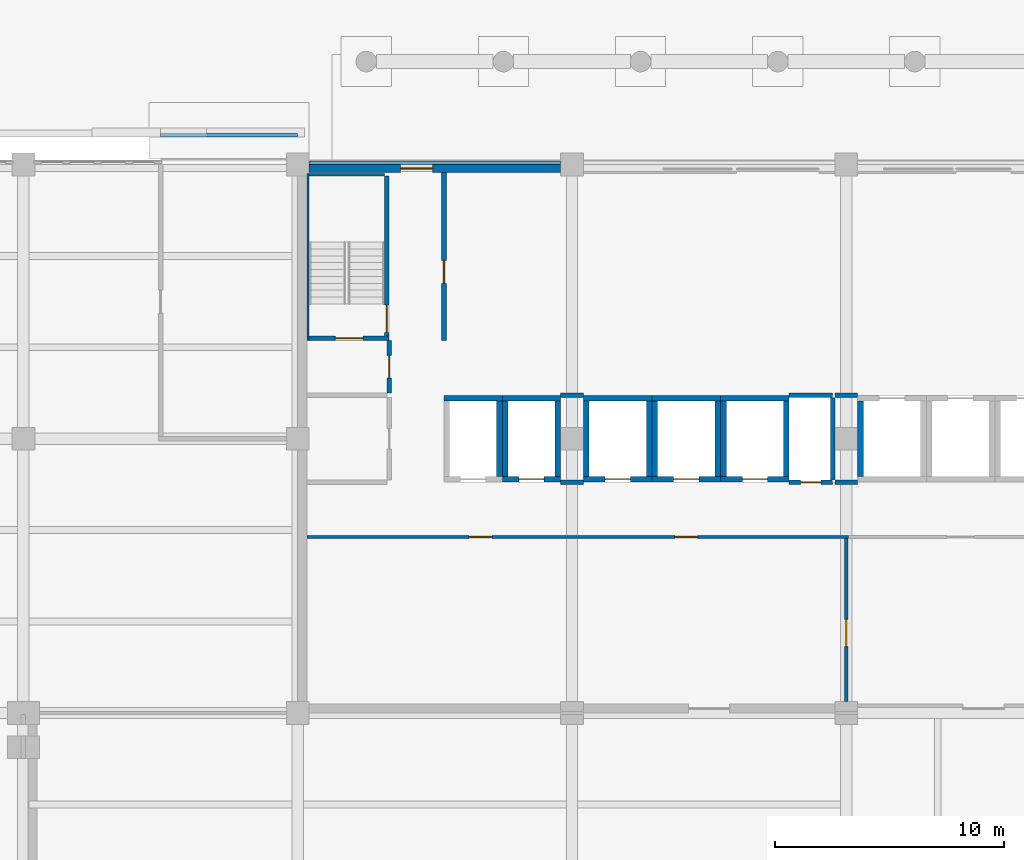
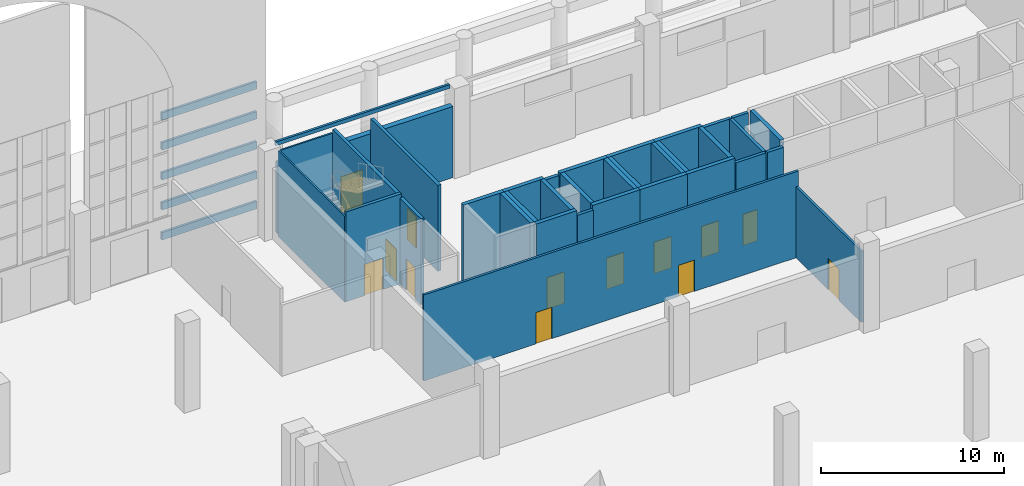
# One storey, part 46 of 59: 41 walls, 13 doors, 13 openings.
"""IFC4 building model written with IfcOpenShell, lengths in metres."""

from ifc_helpers import new_model, si_unit, direction, frame, frame_2d, origin, place, context, subcontext, project, spatial, rectangle, extrude, material, layer, layer_set, type_object, element, fill, save


model = new_model("IFC4")

# Units and contexts
model_context = context("Model", 3, precision=1e-05, world=origin(), true_north=direction((0.0, 1.0)))
body_context = subcontext(model_context, "Body", "Model", "MODEL_VIEW")
ifc_project = project(units=[si_unit("LENGTHUNIT", "METRE"), si_unit("AREAUNIT", "SQUARE_METRE"), si_unit("VOLUMEUNIT", "CUBIC_METRE"), si_unit("PLANEANGLEUNIT", "RADIAN"), si_unit("MASSUNIT", "GRAM", prefix="KILO")], contexts=[model_context])

# Site, building, storey
site_placement = place(None, origin())
site = spatial("IfcSite", under=ifc_project, at=site_placement, CompositionType="ELEMENT")
building_placement = place(site_placement, origin())
building = spatial("IfcBuilding", under=site, at=building_placement, Name="Lilac Gate Convention Centre", CompositionType="ELEMENT")
storey_placement = place(building_placement, origin())
storey = spatial("IfcBuildingStorey", under=building, at=storey_placement, Name="L00", CompositionType="ELEMENT", Elevation=0.0)

# Walls
ifc_material_1 = material(Name="Concrete C60", Category="concrete")
ifc_layer_1 = layer(ifc_material_1, 0.10009765625)
ifc_layer_set_1 = layer_set([ifc_layer_1], Name="Concrete C60")
wall_type_1 = type_object("IfcWallType", Name="Core wall 100 C60", PredefinedType="SHEAR", material=ifc_layer_set_1)
wall_1_placement = place(storey_placement, frame((42.449951171875, 238.300048828125, 0.0), z_axis=(0.0, 0.0, 1.0), x_axis=(0.0, 1.0, 0.0)))
element("IfcWall", 1, at=wall_1_placement, inside=storey, type_object=wall_type_1, Name="CRW8 core wall TS-WX L00 1", PredefinedType="SHEAR", context=body_context, shape_type="SweptSolid", body=[
    extrude(rectangle(XDim=7.300048828125, YDim=0.10009765625, at=frame_2d((3.64990234375, 0.0))), origin(), (0.0, 0.0, 1.0), 5.75),
])
wall_2_placement = place(storey_placement, frame((42.5, 245.550048828125, 0.0), z_axis=(0.0, 0.0, 1.0), x_axis=(1.0, 0.0, 0.0)))
element("IfcWall", 2, at=wall_2_placement, inside=storey, type_object=wall_type_1, Name="CRW8 core wall TS-WX L00 2", PredefinedType="SHEAR", context=body_context, shape_type="SweptSolid", body=[
    extrude(rectangle(XDim=3.300048828125, YDim=0.10009765625, at=frame_2d((1.64990234375, 0.0))), origin(), (0.0, 0.0, 1.0), 5.75),
])

# Wall, opening, door
ifc_layer_2 = layer(ifc_material_1, 0.199951171875)
ifc_layer_set_2 = layer_set([ifc_layer_2], Name="Concrete C60")
wall_type_2 = type_object("IfcWallType", Name="Core wall 200 C60", PredefinedType="SHEAR", material=ifc_layer_set_2)
wall_3_placement = place(storey_placement, frame((42.5, 238.39990234375, 0.0), z_axis=(0.0, 0.0, 1.0), x_axis=(1.0, 0.0, 0.0)))
wall_3 = element("IfcWall", 3, at=wall_3_placement, inside=storey, type_object=wall_type_2, Name="CRW2 core wall TS-W L00 1", PredefinedType="SHEAR", context=body_context, shape_type="SweptSolid", body=[
    extrude(rectangle(XDim=3.5, YDim=0.199951171875, at=frame_2d((1.75, 0.0))), origin(), (0.0, 0.0, 1.0), 6.0),
])
opening_1_placement = place(wall_3_placement, frame((1.14990234375, 0.0, 0.0)))
opening_1 = element("IfcOpeningElement", 4, at=opening_1_placement, cuts=wall_3, Name="Opening T00-025", PredefinedType="OPENING", context=body_context, shape_type="SweptSolid", body=[
    extrude(rectangle(XDim=1.199951171875, YDim=2.10009765625, at=frame_2d((0.60009765625, 1.050048828125))), frame((0.0, 0.10986328125, 0.0), z_axis=(0.0, -1.0, 0.0), x_axis=(1.0, 0.0, 0.0)), (0.0, 0.0, 1.0), 0.219970703125),
])
ifc_material_2 = material(Name="Steel Q235B", Category="steel")
door_type_1 = type_object("IfcDoorType", Name="Stair door 1200", OperationType="SINGLE_SWING_LEFT", PredefinedType="DOOR", material=ifc_material_2)
door_1_placement = place(opening_1_placement, origin())
door_1 = element("IfcDoor", 5, at=door_1_placement, inside=storey, type_object=door_type_1, Name="Stair door NW L00", OperationType="SINGLE_SWING_RIGHT", OverallHeight=2.10009765625, OverallWidth=1.199951171875, PredefinedType="DOOR", context=body_context, shape_type="SweptSolid", body=[
    extrude(rectangle(XDim=1.199951171875, YDim=2.10009765625, at=frame_2d((0.60009765625, 1.050048828125))), frame((0.0, 0.02490234375, 0.0), z_axis=(0.0, -1.0, 0.0), x_axis=(1.0, 0.0, 0.0)), (0.0, 0.0, 1.0), 0.050048828125),
])
fill(opening_1, door_1)

wall_4_placement = place(storey_placement, frame((45.89990234375, 238.5, 0.0), z_axis=(0.0, 0.0, 1.0), x_axis=(0.0, 1.0, 0.0)))
wall_4 = element("IfcWall", 6, at=wall_4_placement, inside=storey, type_object=wall_type_2, Name="CRW2 core wall TS-W L00 2", PredefinedType="SHEAR", context=body_context, shape_type="SweptSolid", body=[
    extrude(rectangle(XDim=7.0, YDim=0.199951171875, at=frame_2d((3.5, 0.0))), origin(), (0.0, 0.0, 1.0), 6.0),
])
opening_2_placement = place(wall_4_placement, frame((0.14990234375, 0.0, 0.0)))
opening_2 = element("IfcOpeningElement", 7, at=opening_2_placement, cuts=wall_4, Name="Opening T00-028", PredefinedType="OPENING", context=body_context, shape_type="SweptSolid", body=[
    extrude(rectangle(XDim=1.199951171875, YDim=2.10009765625, at=frame_2d((0.60009765625, 1.050048828125))), frame((0.0, 0.10986328125, 0.0), z_axis=(0.0, -1.0, 0.0), x_axis=(1.0, 0.0, 0.0)), (0.0, 0.0, 1.0), 0.219970703125),
])
door_2_placement = place(opening_2_placement, frame((1.199951171875, 0.0, 0.0), z_axis=(0.0, 0.0, 1.0), x_axis=(-1.0, 0.0, 0.0)))
door_2 = element("IfcDoor", 8, at=door_2_placement, inside=storey, type_object=door_type_1, Name="Stair exit passage door NW L00", OperationType="SINGLE_SWING_RIGHT", OverallHeight=2.10009765625, OverallWidth=1.199951171875, PredefinedType="DOOR", context=body_context, shape_type="SweptSolid", body=[
    extrude(rectangle(XDim=1.199951171875, YDim=2.10009765625, at=frame_2d((0.60009765625, 1.050048828125))), frame((0.0, 0.02490234375, 0.0), z_axis=(0.0, -1.0, 0.0), x_axis=(1.0, 0.0, 0.0)), (0.0, 0.0, 1.0), 0.050048828125),
])
fill(opening_2, door_2)

ifc_layer_3 = layer(ifc_material_1, 0.25)
ifc_layer_set_3 = layer_set([ifc_layer_3], Name="Concrete C60")
wall_type_3 = type_object("IfcWallType", Name="Core wall 250 C60", PredefinedType="SHEAR", material=ifc_layer_set_3)
wall_5_placement = place(storey_placement, frame((54.5, 232.22509765625, 0.0), z_axis=(0.0, 0.0, 1.0), x_axis=(1.0, 0.0, 0.0)))
wall_5 = element("IfcWall", 9, at=wall_5_placement, inside=storey, type_object=wall_type_3, Name="CRW3 core wall TC L00 1", PredefinedType="SHEAR", context=body_context, shape_type="SweptSolid", body=[
    extrude(rectangle(XDim=3.0, YDim=0.25, at=frame_2d((1.5, 0.0))), origin(), (0.0, 0.0, 1.0), 6.0),
])
opening_3_placement = place(wall_5_placement, frame((0.949951171875, 0.0, 0.0)))
opening_3 = element("IfcOpeningElement", 10, at=opening_3_placement, cuts=wall_5, Name="Opening T00-016", PredefinedType="OPENING", context=body_context, shape_type="SweptSolid", body=[
    extrude(rectangle(XDim=1.10009765625, YDim=2.10009765625, at=frame_2d((0.550048828125, 1.050048828125))), frame((0.0, 0.135009765625, 0.0), z_axis=(0.0, -1.0, 0.0), x_axis=(1.0, 0.0, 0.0)), (0.0, 0.0, 1.0), 0.27001953125),
])
ifc_material_3 = material(Name="Stainless steel 304", Category="steel")
door_type_2 = type_object("IfcDoorType", Name="Lift landing door 1100", OperationType="SLIDING_TO_LEFT", PredefinedType="DOOR", material=ifc_material_3)
door_3_placement = place(opening_3_placement, origin())
door_3 = element("IfcDoor", 11, at=door_3_placement, inside=storey, type_object=door_type_2, Name="Lift landing door TP1 L00", OperationType="SLIDING_TO_LEFT", OverallHeight=2.10009765625, OverallWidth=1.10009765625, PredefinedType="DOOR", context=body_context, shape_type="SweptSolid", body=[
    extrude(rectangle(XDim=1.10009765625, YDim=2.10009765625, at=frame_2d((0.550048828125, 1.050048828125))), frame((0.0, 0.02490234375, 0.0), z_axis=(0.0, -1.0, 0.0), x_axis=(1.0, 0.0, 0.0)), (0.0, 0.0, 1.0), 0.050048828125),
])
fill(opening_3, door_3)

# Walls
wall_6_placement = place(storey_placement, frame((54.5, 235.77490234375, 0.0), z_axis=(0.0, 0.0, 1.0), x_axis=(1.0, 0.0, 0.0)))
element("IfcWall", 12, at=wall_6_placement, inside=storey, type_object=wall_type_3, Name="CRW3 core wall TC L00 2", PredefinedType="SHEAR", context=body_context, shape_type="SweptSolid", body=[
    extrude(rectangle(XDim=3.0, YDim=0.25, at=frame_2d((1.5, 0.0))), origin(), (0.0, 0.0, 1.0), 6.0),
])
for number, where, z_axis, x_axis, name in (
    (13, (54.625, 232.35009765625, 0.0), (0.0, 0.0, 1.0), (0.0, 1.0, 0.0), "CRW3 core wall TC L00 3"),
    (14, (57.375, 232.35009765625, 0.0), (0.0, 0.0, 1.0), (0.0, 1.0, 0.0), "CRW3 core wall TC L00 4"),
):
    element("IfcWall", number, at=place(storey_placement, frame(where, z_axis=z_axis, x_axis=x_axis)), inside=storey, type_object=wall_type_3, Name=name, PredefinedType="SHEAR", context=body_context, shape_type="SweptSolid", body=[
        extrude(rectangle(XDim=3.2998046875, YDim=0.25, at=frame_2d((1.64990234375, 0.0))), origin(), (0.0, 0.0, 1.0), 6.0),
    ])

# Wall, opening, door
wall_7_placement = place(storey_placement, frame((57.5, 232.22509765625, 0.0), z_axis=(0.0, 0.0, 1.0), x_axis=(1.0, 0.0, 0.0)))
wall_7 = element("IfcWall", 15, at=wall_7_placement, inside=storey, type_object=wall_type_3, Name="CRW3 core wall TC L00 5", PredefinedType="SHEAR", context=body_context, shape_type="SweptSolid", body=[
    extrude(rectangle(XDim=3.0, YDim=0.25, at=frame_2d((1.5, 0.0))), origin(), (0.0, 0.0, 1.0), 6.0),
])
opening_4_placement = place(wall_7_placement, frame((0.949951171875, 0.0, 0.0)))
opening_4 = element("IfcOpeningElement", 16, at=opening_4_placement, cuts=wall_7, Name="Opening T00-017", PredefinedType="OPENING", context=body_context, shape_type="SweptSolid", body=[
    extrude(rectangle(XDim=1.10009765625, YDim=2.10009765625, at=frame_2d((0.550048828125, 1.050048828125))), frame((0.0, 0.135009765625, 0.0), z_axis=(0.0, -1.0, 0.0), x_axis=(1.0, 0.0, 0.0)), (0.0, 0.0, 1.0), 0.27001953125),
])
door_4_placement = place(opening_4_placement, origin())
door_4 = element("IfcDoor", 17, at=door_4_placement, inside=storey, type_object=door_type_2, Name="Lift landing door TP2 L00", OperationType="SLIDING_TO_LEFT", OverallHeight=2.10009765625, OverallWidth=1.10009765625, PredefinedType="DOOR", context=body_context, shape_type="SweptSolid", body=[
    extrude(rectangle(XDim=1.10009765625, YDim=2.10009765625, at=frame_2d((0.550048828125, 1.050048828125))), frame((0.0, 0.02490234375, 0.0), z_axis=(0.0, -1.0, 0.0), x_axis=(1.0, 0.0, 0.0)), (0.0, 0.0, 1.0), 0.050048828125),
])
fill(opening_4, door_4)

# Walls
wall_8_placement = place(storey_placement, frame((57.5, 235.77490234375, 0.0), z_axis=(0.0, 0.0, 1.0), x_axis=(1.0, 0.0, 0.0)))
element("IfcWall", 18, at=wall_8_placement, inside=storey, type_object=wall_type_3, Name="CRW3 core wall TC L00 6", PredefinedType="SHEAR", context=body_context, shape_type="SweptSolid", body=[
    extrude(rectangle(XDim=3.0, YDim=0.25, at=frame_2d((1.5, 0.0))), origin(), (0.0, 0.0, 1.0), 6.0),
])
for number, where, z_axis, x_axis, name in (
    (19, (57.625, 232.35009765625, 0.0), (0.0, 0.0, 1.0), (0.0, 1.0, 0.0), "CRW3 core wall TC L00 7"),
    (20, (60.375, 232.35009765625, 0.0), (0.0, 0.0, 1.0), (0.0, 1.0, 0.0), "CRW3 core wall TC L00 8"),
):
    element("IfcWall", number, at=place(storey_placement, frame(where, z_axis=z_axis, x_axis=x_axis)), inside=storey, type_object=wall_type_3, Name=name, PredefinedType="SHEAR", context=body_context, shape_type="SweptSolid", body=[
        extrude(rectangle(XDim=3.2998046875, YDim=0.25, at=frame_2d((1.64990234375, 0.0))), origin(), (0.0, 0.0, 1.0), 6.0),
    ])

# Wall, opening, door
wall_9_placement = place(storey_placement, frame((60.5, 232.22509765625, 0.0), z_axis=(0.0, 0.0, 1.0), x_axis=(1.0, 0.0, 0.0)))
wall_9 = element("IfcWall", 21, at=wall_9_placement, inside=storey, type_object=wall_type_3, Name="CRW3 core wall TC L00 9", PredefinedType="SHEAR", context=body_context, shape_type="SweptSolid", body=[
    extrude(rectangle(XDim=3.0, YDim=0.25, at=frame_2d((1.5, 0.0))), origin(), (0.0, 0.0, 1.0), 6.0),
])
opening_5_placement = place(wall_9_placement, frame((0.949951171875, 0.0, 0.0)))
opening_5 = element("IfcOpeningElement", 22, at=opening_5_placement, cuts=wall_9, Name="Opening T00-018", PredefinedType="OPENING", context=body_context, shape_type="SweptSolid", body=[
    extrude(rectangle(XDim=1.10009765625, YDim=2.10009765625, at=frame_2d((0.550048828125, 1.050048828125))), frame((0.0, 0.135009765625, 0.0), z_axis=(0.0, -1.0, 0.0), x_axis=(1.0, 0.0, 0.0)), (0.0, 0.0, 1.0), 0.27001953125),
])
door_5_placement = place(opening_5_placement, origin())
door_5 = element("IfcDoor", 23, at=door_5_placement, inside=storey, type_object=door_type_2, Name="Lift landing door TP3 L00", OperationType="SLIDING_TO_LEFT", OverallHeight=2.10009765625, OverallWidth=1.10009765625, PredefinedType="DOOR", context=body_context, shape_type="SweptSolid", body=[
    extrude(rectangle(XDim=1.10009765625, YDim=2.10009765625, at=frame_2d((0.550048828125, 1.050048828125))), frame((0.0, 0.02490234375, 0.0), z_axis=(0.0, -1.0, 0.0), x_axis=(1.0, 0.0, 0.0)), (0.0, 0.0, 1.0), 0.050048828125),
])
fill(opening_5, door_5)

# Walls
wall_10_placement = place(storey_placement, frame((60.5, 235.77490234375, 0.0), z_axis=(0.0, 0.0, 1.0), x_axis=(1.0, 0.0, 0.0)))
element("IfcWall", 24, at=wall_10_placement, inside=storey, type_object=wall_type_3, Name="CRW3 core wall TC L00 10", PredefinedType="SHEAR", context=body_context, shape_type="SweptSolid", body=[
    extrude(rectangle(XDim=3.0, YDim=0.25, at=frame_2d((1.5, 0.0))), origin(), (0.0, 0.0, 1.0), 6.0),
])
for number, where, z_axis, x_axis, name in (
    (25, (60.625, 232.35009765625, 0.0), (0.0, 0.0, 1.0), (0.0, 1.0, 0.0), "CRW3 core wall TC L00 11"),
    (26, (63.375, 232.35009765625, 0.0), (0.0, 0.0, 1.0), (0.0, 1.0, 0.0), "CRW3 core wall TC L00 12"),
    (27, (66.625, 232.35009765625, 0.0), (0.0, 0.0, 1.0), (0.0, 1.0, 0.0), "CRW3 core wall TC L00 15"),
):
    element("IfcWall", number, at=place(storey_placement, frame(where, z_axis=z_axis, x_axis=x_axis)), inside=storey, type_object=wall_type_3, Name=name, PredefinedType="SHEAR", context=body_context, shape_type="SweptSolid", body=[
        extrude(rectangle(XDim=3.2998046875, YDim=0.25, at=frame_2d((1.64990234375, 0.0))), origin(), (0.0, 0.0, 1.0), 6.0),
    ])
wall_11_placement = place(storey_placement, frame((48.39990234375, 235.77490234375, 0.0), z_axis=(0.0, 0.0, 1.0), x_axis=(1.0, 0.0, 0.0)))
element("IfcWall", 28, at=wall_11_placement, inside=storey, type_object=wall_type_3, Name="CRW3 core wall TC L00 26", PredefinedType="SHEAR", context=body_context, shape_type="SweptSolid", body=[
    extrude(rectangle(XDim=2.550048828125, YDim=0.25, at=frame_2d((1.27490234375, 0.0))), origin(), (0.0, 0.0, 1.0), 6.0),
])
wall_12_placement = place(storey_placement, frame((50.824951171875, 232.35009765625, 0.0), z_axis=(0.0, 0.0, 1.0), x_axis=(0.0, 1.0, 0.0)))
element("IfcWall", 29, at=wall_12_placement, inside=storey, type_object=wall_type_3, Name="CRW3 core wall TC L00 28", PredefinedType="SHEAR", context=body_context, shape_type="SweptSolid", body=[
    extrude(rectangle(XDim=3.2998046875, YDim=0.25, at=frame_2d((1.64990234375, 0.0))), origin(), (0.0, 0.0, 1.0), 6.0),
])

# Wall, opening, door
wall_13_placement = place(storey_placement, frame((50.949951171875, 232.22509765625, 0.0), z_axis=(0.0, 0.0, 1.0), x_axis=(1.0, 0.0, 0.0)))
wall_13 = element("IfcWall", 30, at=wall_13_placement, inside=storey, type_object=wall_type_3, Name="CRW3 core wall TC L00 29", PredefinedType="SHEAR", context=body_context, shape_type="SweptSolid", body=[
    extrude(rectangle(XDim=2.550048828125, YDim=0.25, at=frame_2d((1.27490234375, 0.0))), origin(), (0.0, 0.0, 1.0), 6.0),
])
opening_6_placement = place(wall_13_placement, frame((0.72509765625, 0.0, 0.0)))
opening_6 = element("IfcOpeningElement", 31, at=opening_6_placement, cuts=wall_13, Name="Opening T00-023", PredefinedType="OPENING", context=body_context, shape_type="SweptSolid", body=[
    extrude(rectangle(XDim=1.10009765625, YDim=2.10009765625, at=frame_2d((0.550048828125, 1.050048828125))), frame((0.0, 0.135009765625, 0.0), z_axis=(0.0, -1.0, 0.0), x_axis=(1.0, 0.0, 0.0)), (0.0, 0.0, 1.0), 0.27001953125),
])
door_6_placement = place(opening_6_placement, origin())
door_6 = element("IfcDoor", 32, at=door_6_placement, inside=storey, type_object=door_type_2, Name="Lift landing door TS2 L00", OperationType="SLIDING_TO_LEFT", OverallHeight=2.10009765625, OverallWidth=1.10009765625, PredefinedType="DOOR", context=body_context, shape_type="SweptSolid", body=[
    extrude(rectangle(XDim=1.10009765625, YDim=2.10009765625, at=frame_2d((0.550048828125, 1.050048828125))), frame((0.0, 0.02490234375, 0.0), z_axis=(0.0, -1.0, 0.0), x_axis=(1.0, 0.0, 0.0)), (0.0, 0.0, 1.0), 0.050048828125),
])
fill(opening_6, door_6)

# Walls
wall_14_placement = place(storey_placement, frame((50.949951171875, 235.77490234375, 0.0), z_axis=(0.0, 0.0, 1.0), x_axis=(1.0, 0.0, 0.0)))
element("IfcWall", 33, at=wall_14_placement, inside=storey, type_object=wall_type_3, Name="CRW3 core wall TC L00 30", PredefinedType="SHEAR", context=body_context, shape_type="SweptSolid", body=[
    extrude(rectangle(XDim=2.550048828125, YDim=0.25, at=frame_2d((1.27490234375, 0.0))), origin(), (0.0, 0.0, 1.0), 6.0),
])
for number, where, z_axis, x_axis, name in (
    (34, (51.074951171875, 232.35009765625, 0.0), (0.0, 0.0, 1.0), (0.0, 1.0, 0.0), "CRW3 core wall TC L00 31"),
    (35, (53.375, 232.35009765625, 0.0), (0.0, 0.0, 1.0), (0.0, 1.0, 0.0), "CRW3 core wall TC L00 32"),
):
    element("IfcWall", number, at=place(storey_placement, frame(where, z_axis=z_axis, x_axis=x_axis)), inside=storey, type_object=wall_type_3, Name=name, PredefinedType="SHEAR", context=body_context, shape_type="SweptSolid", body=[
        extrude(rectangle(XDim=3.2998046875, YDim=0.25, at=frame_2d((1.64990234375, 0.0))), origin(), (0.0, 0.0, 1.0), 6.0),
    ])

# Wall, openings, doors
ifc_material_4 = material(Name="Gypsum board on steel stud", Category="steel")
ifc_layer_4 = layer(ifc_material_4, 0.14990234375)
ifc_layer_set_4 = layer_set([ifc_layer_4], Name="Gypsum board on steel stud")
wall_type_4 = type_object("IfcWallType", Name="Corridor wall 150", PredefinedType="PARTITIONING", material=ifc_layer_set_4)
wall_15_placement = place(storey_placement, frame((66.10009765625, 229.699951171875, 0.0), z_axis=(0.0, 0.0, 1.0), x_axis=(-1.0, 0.0, 0.0)))
wall_15 = element("IfcWall", 36, at=wall_15_placement, inside=storey, type_object=wall_type_4, Name="Corridor wall 150 front RST", PredefinedType="PARTITIONING", context=body_context, shape_type="SweptSolid", body=[
    extrude(rectangle(XDim=23.7001953125, YDim=0.14990234375, at=frame_2d((11.85009765625, 0.0))), origin(), (0.0, 0.0, 1.0), 5.75),
])
opening_7_placement = place(wall_15_placement, frame((15.60009765625, 0.0, 0.0)))
opening_7 = element("IfcOpeningElement", 37, at=opening_7_placement, cuts=wall_15, Name="Opening T00-008", PredefinedType="OPENING", context=body_context, shape_type="SweptSolid", body=[
    extrude(rectangle(XDim=1.0, YDim=2.10009765625, at=frame_2d((0.5, 1.050048828125))), frame((0.0, 0.0849609375, 0.0), z_axis=(0.0, -1.0, 0.0), x_axis=(1.0, 0.0, 0.0)), (0.0, 0.0, 1.0), 0.169921875),
])
opening_8_placement = place(wall_15_placement, frame((6.60009765625, 0.0, 0.0)))
opening_8 = element("IfcOpeningElement", 38, at=opening_8_placement, cuts=wall_15, Name="Opening T00-009", PredefinedType="OPENING", context=body_context, shape_type="SweptSolid", body=[
    extrude(rectangle(XDim=1.0, YDim=2.10009765625, at=frame_2d((0.5, 1.050048828125))), frame((0.0, 0.0849609375, 0.0), z_axis=(0.0, -1.0, 0.0), x_axis=(1.0, 0.0, 0.0)), (0.0, 0.0, 1.0), 0.169921875),
])
ifc_material_5 = material(Name="Timber", Category="wood")
door_type_3 = type_object("IfcDoorType", Name="Room door 1000", OperationType="SINGLE_SWING_LEFT", PredefinedType="DOOR", material=ifc_material_5)
door_7_placement = place(opening_7_placement, origin())
door_7 = element("IfcDoor", 39, at=door_7_placement, inside=storey, type_object=door_type_3, Name="Hotel Restaurant door", OperationType="SINGLE_SWING_RIGHT", OverallHeight=2.10009765625, OverallWidth=1.0, PredefinedType="DOOR", context=body_context, shape_type="SweptSolid", body=[
    extrude(rectangle(XDim=1.0, YDim=2.10009765625, at=frame_2d((0.5, 1.050048828125))), frame((0.0, 0.02490234375, 0.0), z_axis=(0.0, -1.0, 0.0), x_axis=(1.0, 0.0, 0.0)), (0.0, 0.0, 1.0), 0.050048828125),
])
fill(opening_7, door_7)
door_8_placement = place(opening_8_placement, origin())
door_8 = element("IfcDoor", 40, at=door_8_placement, inside=storey, type_object=door_type_3, Name="Hotel Restaurant door", OperationType="SINGLE_SWING_LEFT", OverallHeight=2.10009765625, OverallWidth=1.0, PredefinedType="DOOR", context=body_context, shape_type="SweptSolid", body=[
    extrude(rectangle(XDim=1.0, YDim=2.10009765625, at=frame_2d((0.5, 1.050048828125))), frame((0.0, 0.02490234375, 0.0), z_axis=(0.0, -1.0, 0.0), x_axis=(1.0, 0.0, 0.0)), (0.0, 0.0, 1.0), 0.050048828125),
])
fill(opening_8, door_8)

# Wall, opening, door
wall_16_placement = place(storey_placement, frame((66.0, 229.625, 0.0), z_axis=(0.0, 0.0, 1.0), x_axis=(0.0, -1.0, 0.0)))
wall_16 = element("IfcWall", 41, at=wall_16_placement, inside=storey, type_object=wall_type_4, Name="Corridor wall 150 part RKT", PredefinedType="PARTITIONING", context=body_context, shape_type="SweptSolid", body=[
    extrude(rectangle(XDim=7.125, YDim=0.14990234375, at=frame_2d((3.5625, 0.0))), origin(), (0.0, 0.0, 1.0), 4.75),
])
opening_9_placement = place(wall_16_placement, frame((3.52490234375, 0.0, 0.0)))
opening_9 = element("IfcOpeningElement", 42, at=opening_9_placement, cuts=wall_16, Name="Opening T00-011", PredefinedType="OPENING", context=body_context, shape_type="SweptSolid", body=[
    extrude(rectangle(XDim=1.199951171875, YDim=2.10009765625, at=frame_2d((0.60009765625, 1.050048828125))), frame((0.0, 0.0849609375, 0.0), z_axis=(0.0, -1.0, 0.0), x_axis=(1.0, 0.0, 0.0)), (0.0, 0.0, 1.0), 0.169921875),
])
door_type_4 = type_object("IfcDoorType", Name="Kitchen door 1200", OperationType="SINGLE_SWING_LEFT", PredefinedType="DOOR", material=ifc_material_2)
door_9_placement = place(opening_9_placement, origin())
door_9 = element("IfcDoor", 43, at=door_9_placement, inside=storey, type_object=door_type_4, Name="Kitchen pass door", OperationType="SINGLE_SWING_RIGHT", OverallHeight=2.10009765625, OverallWidth=1.199951171875, PredefinedType="DOOR", context=body_context, shape_type="SweptSolid", body=[
    extrude(rectangle(XDim=1.199951171875, YDim=2.10009765625, at=frame_2d((0.60009765625, 1.050048828125))), frame((0.0, 0.02490234375, 0.0), z_axis=(0.0, -1.0, 0.0), x_axis=(1.0, 0.0, 0.0)), (0.0, 0.0, 1.0), 0.050048828125),
])
fill(opening_9, door_9)

ifc_layer_5 = layer(ifc_material_4, 0.199951171875)
ifc_layer_set_5 = layer_set([ifc_layer_5], Name="Gypsum board on steel stud")
wall_type_5 = type_object("IfcWallType", Name="Lobby wall 200", PredefinedType="PARTITIONING", material=ifc_layer_set_5)
wall_17_placement = place(storey_placement, frame((46.0, 236.0, 0.0), z_axis=(0.0, 0.0, 1.0), x_axis=(0.0, 1.0, 0.0)))
wall_17 = element("IfcWall", 44, at=wall_17_placement, inside=storey, type_object=wall_type_5, Name="Lobby wall 200 STL-NW-E", PredefinedType="PARTITIONING", context=body_context, shape_type="SweptSolid", body=[
    extrude(rectangle(XDim=2.300048828125, YDim=0.199951171875, at=frame_2d((1.14990234375, 0.0))), origin(), (0.0, 0.0, 1.0), 5.75),
])
opening_10_placement = place(wall_17_placement, frame((0.64990234375, 0.0, 0.0)))
opening_10 = element("IfcOpeningElement", 45, at=opening_10_placement, cuts=wall_17, Name="Opening T00-006", PredefinedType="OPENING", context=body_context, shape_type="SweptSolid", body=[
    extrude(rectangle(XDim=1.0, YDim=2.10009765625, at=frame_2d((0.5, 1.050048828125))), frame((0.0, 0.10986328125, 0.0), z_axis=(0.0, -1.0, 0.0), x_axis=(1.0, 0.0, 0.0)), (0.0, 0.0, 1.0), 0.219970703125),
])
door_type_5 = type_object("IfcDoorType", Name="Lobby door 1000", OperationType="SINGLE_SWING_LEFT", PredefinedType="DOOR", material=ifc_material_2)
door_10_placement = place(opening_10_placement, origin())
door_10 = element("IfcDoor", 46, at=door_10_placement, inside=storey, type_object=door_type_5, Name="Stair lobby door NW", OperationType="SINGLE_SWING_LEFT", OverallHeight=2.10009765625, OverallWidth=1.0, PredefinedType="DOOR", context=body_context, shape_type="SweptSolid", body=[
    extrude(rectangle(XDim=1.0, YDim=2.10009765625, at=frame_2d((0.5, 1.050048828125))), frame((0.0, 0.02490234375, 0.0), z_axis=(0.0, -1.0, 0.0), x_axis=(1.0, 0.0, 0.0)), (0.0, 0.0, 1.0), 0.050048828125),
])
fill(opening_10, door_10)

wall_18_placement = place(storey_placement, frame((48.39990234375, 238.300048828125, 0.0), z_axis=(0.0, 0.0, 1.0), x_axis=(0.0, 1.0, 0.0)))
wall_18 = element("IfcWall", 47, at=wall_18_placement, inside=storey, type_object=wall_type_5, Name="Lobby wall 200 passage east wall", PredefinedType="PARTITIONING", context=body_context, shape_type="SweptSolid", body=[
    extrude(rectangle(XDim=7.349853515625, YDim=0.199951171875, at=frame_2d((3.6748046875, 0.0))), origin(), (0.0, 0.0, 1.0), 5.75),
])
opening_11_placement = place(wall_18_placement, frame((2.5, 0.0, 0.0)))
opening_11 = element("IfcOpeningElement", 48, at=opening_11_placement, cuts=wall_18, Name="Opening T00-015", PredefinedType="OPENING", context=body_context, shape_type="SweptSolid", body=[
    extrude(rectangle(XDim=1.0, YDim=2.10009765625, at=frame_2d((0.5, 1.050048828125))), frame((0.0, 0.10986328125, 0.0), z_axis=(0.0, -1.0, 0.0), x_axis=(1.0, 0.0, 0.0)), (0.0, 0.0, 1.0), 0.219970703125),
])
door_11_placement = place(opening_11_placement, origin())
door_11 = element("IfcDoor", 49, at=door_11_placement, inside=storey, type_object=door_type_5, Name="Exit passage door", OperationType="SINGLE_SWING_RIGHT", OverallHeight=2.10009765625, OverallWidth=1.0, PredefinedType="DOOR", context=body_context, shape_type="SweptSolid", body=[
    extrude(rectangle(XDim=1.0, YDim=2.10009765625, at=frame_2d((0.5, 1.050048828125))), frame((0.0, 0.02490234375, 0.0), z_axis=(0.0, -1.0, 0.0), x_axis=(1.0, 0.0, 0.0)), (0.0, 0.0, 1.0), 0.050048828125),
])
fill(opening_11, door_11)

ifc_material_6 = material(Name="Ochre mineral render")
ifc_layer_6 = layer(ifc_material_6, 0.02001953125)
ifc_material_7 = material(Name="Concrete C40 precast", Category="concrete")
ifc_layer_7 = layer(ifc_material_7, 0.06005859375)
ifc_material_8 = material(Name="Ventilated air cavity")
ifc_layer_8 = layer(ifc_material_8, 0.030029296875)
ifc_material_9 = material(Name="Mineral wool insulation")
ifc_layer_9 = layer(ifc_material_9, 0.169921875)
ifc_material_10 = material(Name="Steel stud Q345 and gypsum lining", Category="steel")
ifc_layer_10 = layer(ifc_material_10, 0.070068359375)
ifc_layer_set_6 = layer_set([ifc_layer_6, ifc_layer_7, ifc_layer_8, ifc_layer_9, ifc_layer_10], Name="Ochre mineral render, Concrete C40 precast, Ventilated air cavity, Mineral wool insulation, Steel stud Q345 and gypsum lining")
wall_type_6 = type_object("IfcWallType", Name="Podium precast wall 350", PredefinedType="STANDARD", material=ifc_layer_set_6)
wall_19_placement = place(storey_placement, frame((53.5, 245.824951171875, 0.0), z_axis=(0.0, 0.0, 1.0), x_axis=(-1.0, 0.0, 0.0)))
wall_19 = element("IfcWall", 50, at=wall_19_placement, inside=storey, type_object=wall_type_6, Name="External wall N L00 4", PredefinedType="STANDARD", context=body_context, shape_type="SweptSolid", body=[
    extrude(rectangle(XDim=11.0, YDim=0.35009765625, at=frame_2d((5.5, 0.0))), origin(), (0.0, 0.0, 1.0), 4.75),
])
opening_12_placement = place(wall_19_placement, frame((5.60009765625, 0.0, 0.0)))
opening_12 = element("IfcOpeningElement", 51, at=opening_12_placement, cuts=wall_19, Name="Opening ED-005", PredefinedType="OPENING", context=body_context, shape_type="SweptSolid", body=[
    extrude(rectangle(XDim=1.39990234375, YDim=2.39990234375, at=frame_2d((0.699951171875, 1.199951171875))), frame((0.0, 0.18505859375, 0.0), z_axis=(0.0, -1.0, 0.0), x_axis=(1.0, 0.0, 0.0)), (0.0, 0.0, 1.0), 0.3701171875),
])
door_type_6 = type_object("IfcDoorType", Name="Exit double door 1400 x 2400", OperationType="DOUBLE_DOOR_SINGLE_SWING", PredefinedType="DOOR", material=ifc_material_2)
door_12_placement = place(opening_12_placement, frame((1.39990234375, 0.0, 0.0), z_axis=(0.0, 0.0, 1.0), x_axis=(-1.0, 0.0, 0.0)))
door_12 = element("IfcDoor", 52, at=door_12_placement, inside=storey, type_object=door_type_6, Name="Pedestrian exit gate GT1", OperationType="DOUBLE_DOOR_SINGLE_SWING", OverallHeight=2.39990234375, OverallWidth=1.39990234375, PredefinedType="DOOR", context=body_context, shape_type="SweptSolid", body=[
    extrude(rectangle(XDim=1.39990234375, YDim=2.39990234375, at=frame_2d((0.699951171875, 1.199951171875))), frame((0.0, 0.02490234375, 0.0), z_axis=(0.0, -1.0, 0.0), x_axis=(1.0, 0.0, 0.0)), (0.0, 0.0, 1.0), 0.050048828125),
])
fill(opening_12, door_12)

# Walls
ifc_layer_11 = layer(ifc_material_7, 0.1298828125)
ifc_layer_12 = layer(ifc_material_6, 0.02001953125)
ifc_layer_set_7 = layer_set([ifc_layer_11, ifc_layer_12], Name="Concrete C40 precast, Ochre mineral render")
wall_type_7 = type_object("IfcWallType", Name="Portal course 150", PredefinedType="STANDARD", material=ifc_layer_set_7)
for number, where, z_axis, x_axis, name in (
    (53, (36.0, 247.27490234375, 1.0), (0.0, 0.0, 1.0), (1.0, 0.0, 0.0), "Portal course R1"),
    (54, (36.0, 247.27490234375, 3.0), (0.0, 0.0, 1.0), (1.0, 0.0, 0.0), "Portal course R2"),
    (55, (36.0, 247.27490234375, 5.0), (0.0, 0.0, 1.0), (1.0, 0.0, 0.0), "Portal course R3"),
    (56, (36.0, 247.27490234375, 7.0), (0.0, 0.0, 1.0), (1.0, 0.0, 0.0), "Portal course R4"),
    (57, (36.0, 247.27490234375, 9.0), (0.0, 0.0, 1.0), (1.0, 0.0, 0.0), "Portal course R5"),
):
    element("IfcWall", number, at=place(storey_placement, frame(where, z_axis=z_axis, x_axis=x_axis)), inside=storey, type_object=wall_type_7, Name=name, PredefinedType="STANDARD", context=body_context, shape_type="SweptSolid", body=[
        extrude(rectangle(XDim=6.0, YDim=0.14990234375, at=frame_2d((3.0, 0.0))), origin(), (0.0, 0.0, 1.0), 0.5),
    ])
ifc_layer_13 = layer(ifc_material_7, 0.1298828125)
ifc_layer_14 = layer(ifc_material_6, 0.02001953125)
ifc_layer_set_8 = layer_set([ifc_layer_13, ifc_layer_14], Name="Concrete C40 precast, Ochre mineral render")
wall_type_8 = type_object("IfcWallType", Name="Precast band ochre 150", PredefinedType="STANDARD", material=ifc_layer_set_8)
wall_20_placement = place(storey_placement, frame((53.5, 246.074951171875, 5.75), z_axis=(0.0, 0.0, 1.0), x_axis=(-1.0, 0.0, 0.0)))
element("IfcWall", 58, at=wall_20_placement, inside=storey, type_object=wall_type_8, Name="Precast band N L00 4", PredefinedType="STANDARD", context=body_context, shape_type="SweptSolid", body=[
    extrude(rectangle(XDim=11.0, YDim=0.14990234375, at=frame_2d((5.5, 0.0))), origin(), (0.0, 0.0, 1.0), 0.25),
])
ifc_layer_15 = layer(ifc_material_4, 0.199951171875)
ifc_layer_set_9 = layer_set([ifc_layer_15], Name="Gypsum board on steel stud")
wall_type_9 = type_object("IfcWallType", Name="Riser and store wall 200", PredefinedType="PARTITIONING", material=ifc_layer_set_9)
wall_21_placement = place(storey_placement, frame((53.5, 232.10009765625, 0.0), z_axis=(0.0, 0.0, 1.0), x_axis=(1.0, 0.0, 0.0)))
element("IfcWall", 59, at=wall_21_placement, inside=storey, type_object=wall_type_9, Name="Riser and store wall 200 NICHE1-S", PredefinedType="PARTITIONING", context=body_context, shape_type="SweptSolid", body=[
    extrude(rectangle(XDim=1.0, YDim=0.199951171875, at=frame_2d((0.5, 0.0))), origin(), (0.0, 0.0, 1.0), 5.75),
])

# Wall, opening, door
wall_22_placement = place(storey_placement, frame((63.5, 232.10009765625, 0.0), z_axis=(0.0, 0.0, 1.0), x_axis=(1.0, 0.0, 0.0)))
wall_22 = element("IfcWall", 60, at=wall_22_placement, inside=storey, type_object=wall_type_9, Name="Riser and store wall 200 RS1-S", PredefinedType="PARTITIONING", context=body_context, shape_type="SweptSolid", body=[
    extrude(rectangle(XDim=1.89990234375, YDim=0.199951171875, at=frame_2d((0.949951171875, 0.0))), origin(), (0.0, 0.0, 1.0), 5.75),
])
opening_13_placement = place(wall_22_placement, frame((0.5, 0.0, 0.0)))
opening_13 = element("IfcOpeningElement", 61, at=opening_13_placement, cuts=wall_22, Name="Opening T00-002", PredefinedType="OPENING", context=body_context, shape_type="SweptSolid", body=[
    extrude(rectangle(XDim=0.89990234375, YDim=2.10009765625, at=frame_2d((0.449951171875, 1.050048828125))), frame((0.0, 0.10986328125, 0.0), z_axis=(0.0, -1.0, 0.0), x_axis=(1.0, 0.0, 0.0)), (0.0, 0.0, 1.0), 0.219970703125),
])
door_type_7 = type_object("IfcDoorType", Name="Riser and store door 900", OperationType="SINGLE_SWING_LEFT", PredefinedType="DOOR", material=ifc_material_2)
door_13_placement = place(opening_13_placement, origin())
door_13 = element("IfcDoor", 62, at=door_13_placement, inside=storey, type_object=door_type_7, Name="Riser room door", OperationType="SINGLE_SWING_RIGHT", OverallHeight=2.10009765625, OverallWidth=0.89990234375, PredefinedType="DOOR", context=body_context, shape_type="SweptSolid", body=[
    extrude(rectangle(XDim=0.89990234375, YDim=2.10009765625, at=frame_2d((0.449951171875, 1.050048828125))), frame((0.0, 0.02490234375, 0.0), z_axis=(0.0, -1.0, 0.0), x_axis=(1.0, 0.0, 0.0)), (0.0, 0.0, 1.0), 0.050048828125),
])
fill(opening_13, door_13)

# Walls
for number, where, z_axis, x_axis, name in (
    (63, (65.5, 232.10009765625, 0.0), (0.0, 0.0, 1.0), (1.0, 0.0, 0.0), "Riser and store wall 200 NICHE2-S"),
    (64, (53.5, 235.89990234375, 0.0), (0.0, 0.0, 1.0), (1.0, 0.0, 0.0), "Riser and store wall 200 NICHE1-N"),
):
    element("IfcWall", number, at=place(storey_placement, frame(where, z_axis=z_axis, x_axis=x_axis)), inside=storey, type_object=wall_type_9, Name=name, PredefinedType="PARTITIONING", context=body_context, shape_type="SweptSolid", body=[
        extrude(rectangle(XDim=1.0, YDim=0.199951171875, at=frame_2d((0.5, 0.0))), origin(), (0.0, 0.0, 1.0), 5.75),
    ])
wall_23_placement = place(storey_placement, frame((63.5, 235.89990234375, 0.0), z_axis=(0.0, 0.0, 1.0), x_axis=(1.0, 0.0, 0.0)))
element("IfcWall", 65, at=wall_23_placement, inside=storey, type_object=wall_type_9, Name="Riser and store wall 200 RS1-N", PredefinedType="PARTITIONING", context=body_context, shape_type="SweptSolid", body=[
    extrude(rectangle(XDim=1.89990234375, YDim=0.199951171875, at=frame_2d((0.949951171875, 0.0))), origin(), (0.0, 0.0, 1.0), 5.75),
])
wall_24_placement = place(storey_placement, frame((65.5, 235.89990234375, 0.0), z_axis=(0.0, 0.0, 1.0), x_axis=(1.0, 0.0, 0.0)))
element("IfcWall", 66, at=wall_24_placement, inside=storey, type_object=wall_type_9, Name="Riser and store wall 200 NICHE2-N", PredefinedType="PARTITIONING", context=body_context, shape_type="SweptSolid", body=[
    extrude(rectangle(XDim=1.0, YDim=0.199951171875, at=frame_2d((0.5, 0.0))), origin(), (0.0, 0.0, 1.0), 5.75),
])
wall_25_placement = place(storey_placement, frame((65.39990234375, 232.199951171875, 0.0), z_axis=(0.0, 0.0, 1.0), x_axis=(0.0, 1.0, 0.0)))
element("IfcWall", 67, at=wall_25_placement, inside=storey, type_object=wall_type_9, Name="Riser and store wall 200 RS1-E", PredefinedType="PARTITIONING", context=body_context, shape_type="SweptSolid", body=[
    extrude(rectangle(XDim=3.60009765625, YDim=0.199951171875, at=frame_2d((1.800048828125, 0.0))), origin(), (0.0, 0.0, 1.0), 5.75),
])

save(model, "model.ifc")
